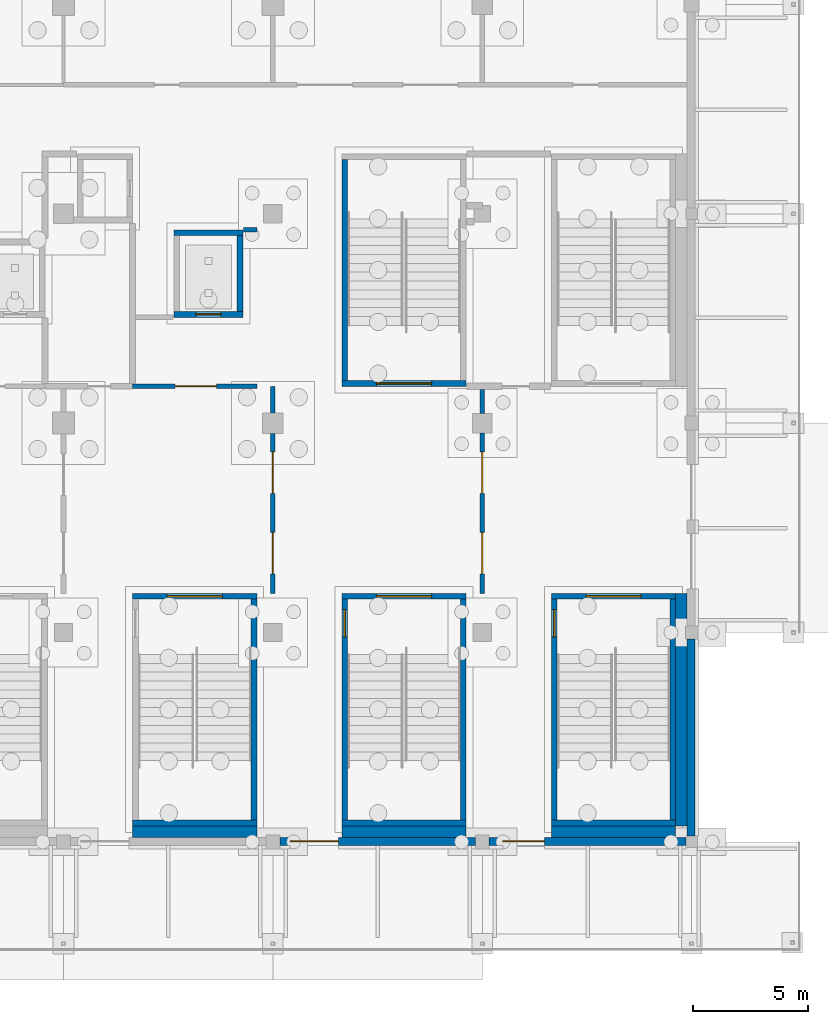
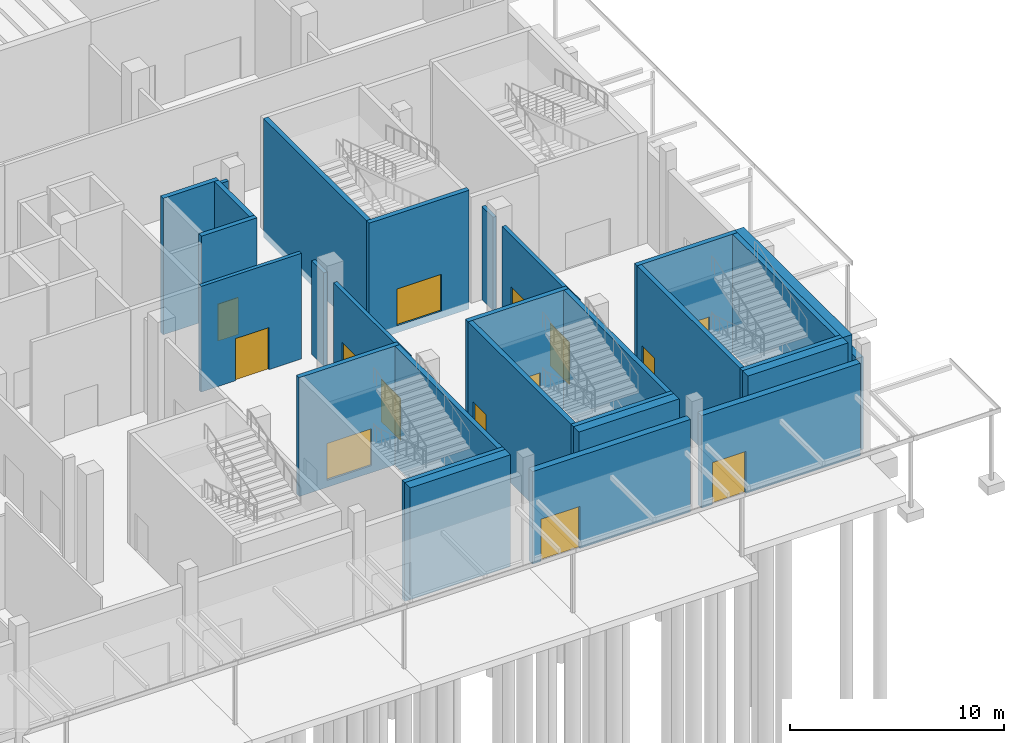
# One storey, part 83 of 129: 29 walls, 14 doors, 14 openings.
"""IFC4 building model written with IfcOpenShell, lengths in metres."""

import ifcopenshell
import ifcopenshell.guid

model = None  # the IFC model being written
_history = None  # IfcOwnerHistory: only IFC2X3 demands one
_inside = {}  # id of a spatial element -> (the spatial element, [elements in it])
_under = {}  # id of a project, library or spatial element -> (it, [spatial elements below it])
_declared = {}  # id of a project -> (the project, [libraries it declares])
_typed = {}  # id of a type object -> (the type object, [elements of that type])
_made_of = {}  # id of a material, layer set ... -> (it, [elements and type objects made of it])


def new_model(schema):
    """Start an empty IFC model of exactly this schema.

    Asked for "IFC4X3", IfcOpenShell would pick the latest addendum, in which some entities
    have other attributes; the version numbers below select the first issue.
    IFC2X3 requires an IfcOwnerHistory on every rooted entity: one is made here for all.
    """
    global model, _history
    if schema == "IFC4X3":
        model = ifcopenshell.file(schema_version=(4, 3, 0, 0))
    else:
        model = ifcopenshell.file(schema=schema)
    _inside.clear()
    _under.clear()
    _declared.clear()
    _typed.clear()
    _made_of.clear()
    _history = None
    if model.schema == "IFC2X3":
        org = make("IfcOrganization", Name="unknown")
        user = make(
            "IfcPersonAndOrganization",
            ThePerson=make("IfcPerson", FamilyName="unknown"),
            TheOrganization=org,
        )
        app = make(
            "IfcApplication",
            ApplicationDeveloper=org,
            Version="unknown",
            ApplicationFullName="unknown",
            ApplicationIdentifier="unknown",
        )
        _history = make(
            "IfcOwnerHistory",
            OwningUser=user,
            OwningApplication=app,
            ChangeAction="ADDED",
            CreationDate=0,
        )
    return model


def make(cls, **values):
    """One entity of the class cls with the attributes given. An attribute that is None is left unset."""
    return model.create_entity(
        cls, **{name: value for name, value in values.items() if value is not None}
    )


def rooted(cls, **values):
    """An entity with a GlobalId (a new one), such as an element, a storey or a relation."""
    return make(cls, GlobalId=ifcopenshell.guid.new(), OwnerHistory=_history, **values)


def si_unit(unit_type, name, prefix=None):
    """IfcSIUnit, for example si_unit("LENGTHUNIT", "METRE", prefix="MILLI")."""
    return make("IfcSIUnit", UnitType=unit_type, Prefix=prefix, Name=name)


def assignment(units):
    """IfcUnitAssignment: the units of a project."""
    return None if units is None else make("IfcUnitAssignment", Units=units)


def point(xyz):
    """IfcCartesianPoint."""
    return None if xyz is None else make("IfcCartesianPoint", Coordinates=xyz)


def direction(xyz):
    """IfcDirection."""
    return None if xyz is None else make("IfcDirection", DirectionRatios=xyz)


def frame(location, z_axis=None, x_axis=None):
    """IfcAxis2Placement3D, a coordinate frame: its origin and axes. An axis left out is left unset."""
    return make(
        "IfcAxis2Placement3D",
        Location=point(location),
        Axis=direction(z_axis),
        RefDirection=direction(x_axis),
    )


def frame_2d(location, x_axis=None):
    """IfcAxis2Placement2D, a coordinate frame in the plane: its origin and x axis."""
    return make(
        "IfcAxis2Placement2D", Location=point(location), RefDirection=direction(x_axis)
    )


def origin():
    """The frame at (0, 0, 0) with its axes left unset."""
    return frame((0.0, 0.0, 0.0))


def place(relative_to, where):
    """IfcLocalPlacement: puts the frame where relative to a parent placement (None: the world)."""
    return make(
        "IfcLocalPlacement", PlacementRelTo=relative_to, RelativePlacement=where
    )


def context(
    kind, dimensions, precision=None, world=None, true_north=None, identifier=None
):
    """IfcGeometricRepresentationContext, for example the 3D "Model" context."""
    return make(
        "IfcGeometricRepresentationContext",
        ContextIdentifier=identifier,
        ContextType=kind,
        CoordinateSpaceDimension=dimensions,
        Precision=precision,
        WorldCoordinateSystem=world,
        TrueNorth=true_north,
    )


def subcontext(parent, identifier, kind, view, scale=None):
    """IfcGeometricRepresentationSubContext, for example "Body" below "Model"."""
    return make(
        "IfcGeometricRepresentationSubContext",
        ContextIdentifier=identifier,
        ContextType=kind,
        ParentContext=parent,
        TargetScale=scale,
        TargetView=view,
    )


def project(units=None, contexts=None):
    """IfcProject with its units and contexts."""
    return rooted(
        "IfcProject",
        Name="project",
        RepresentationContexts=contexts,
        UnitsInContext=assignment(units),
    )


def spatial(cls, under=None, at=None, **own):
    """A site, building, storey or space (cls), placed at a placement, below another one or the project."""
    s = rooted(cls, ObjectPlacement=at, **own)
    if under is not None:
        _under.setdefault(under.id(), (under, []))[1].append(s)
    return s


def profile(cls, at=None, kind="AREA", **sizes):
    """A parametric profile (cls). Its sizes go by their IFC names, for example OverallWidth=200.0."""
    return make(cls, ProfileType=kind, Position=at, **sizes)


def rectangle(**sizes):
    """IfcRectangleProfileDef."""
    return profile("IfcRectangleProfileDef", **sizes)


def extrude(swept, where, along, depth):
    """IfcExtrudedAreaSolid: the profile swept, set in the frame where, extruded along a direction by depth."""
    return make(
        "IfcExtrudedAreaSolid",
        SweptArea=swept,
        Position=where,
        ExtrudedDirection=direction(along),
        Depth=depth,
    )


def shape(context_of_items, identifier, shape_type, items):
    """IfcShapeRepresentation: the items that make up one representation, for example the "Body"."""
    return make(
        "IfcShapeRepresentation",
        ContextOfItems=context_of_items,
        RepresentationIdentifier=identifier,
        RepresentationType=shape_type,
        Items=items,
    )


def material(Name=None, Category=None):
    """IfcMaterial."""
    return make("IfcMaterial", Name=Name, Category=Category)


def layer(
    of_material, thickness, ventilated=None, Name=None, Category=None, Priority=None
):
    """IfcMaterialLayer: one layer of a wall or slab, of a material (None: an air gap)."""
    return make(
        "IfcMaterialLayer",
        Material=of_material,
        LayerThickness=thickness,
        IsVentilated=ventilated,
        Name=Name,
        Category=Category,
        Priority=Priority,
    )


def layer_set(layers, Name=None):
    """IfcMaterialLayerSet."""
    return make("IfcMaterialLayerSet", MaterialLayers=layers, LayerSetName=Name)


def made_of(thing, what):
    """Note that an element or type object is made of a material, layer set ...; save() writes the relation."""
    if what is not None:
        _made_of.setdefault(what.id(), (what, []))[1].append(thing)
    return thing


def type_object(cls, material=None, **own):
    """A type object (cls), such as IfcWallType, which elements share."""
    return made_of(rooted(cls, **own), material)


def element(
    cls,
    number,
    at=None,
    inside=None,
    cuts=None,
    type_object=None,
    material=None,
    context=None,
    identifier="Body",
    shape_type=None,
    held_by="IfcProductDefinitionShape",
    body=None,
    shapes=None,
    **own,
):
    """One element of the class cls, such as IfcWall. Its Tag is "e" and its number.

    at: its placement. inside: the storey or other place that contains it. cuts: it is an
    opening in that element (IfcRelVoidsElement). A single representation is given by context,
    identifier, shape_type and body (its items); several are given by shapes. held_by: the class
    of the entity that holds the representations. save() writes the other relations.
    """
    e = rooted(cls, Tag="e%d" % number, ObjectPlacement=at, **own)
    if body is not None:
        shapes = [shape(context, identifier, shape_type, body)]
    if shapes is not None:
        e.Representation = make(held_by, Representations=shapes)
    if inside is not None:
        _inside.setdefault(inside.id(), (inside, []))[1].append(e)
    if cuts is not None:
        rooted(
            "IfcRelVoidsElement", RelatingBuildingElement=cuts, RelatedOpeningElement=e
        )
    if type_object is not None:
        _typed.setdefault(type_object.id(), (type_object, []))[1].append(e)
    return made_of(e, material)


def fill(opening, filler):
    """IfcRelFillsElement: the door or window that sits in an opening."""
    return rooted(
        "IfcRelFillsElement",
        RelatingOpeningElement=opening,
        RelatedBuildingElement=filler,
    )


def aggregate(whole, parts):
    """IfcRelAggregates: a whole, such as a stair, and the parts it consists of."""
    return rooted("IfcRelAggregates", RelatingObject=whole, RelatedObjects=parts)


def save(model, path):
    """Write the relations noted so far, then the file.

    IfcRelAggregates (storeys below a building ...), IfcRelContainedInSpatialStructure (elements
    in a storey), IfcRelDefinesByType, IfcRelAssociatesMaterial and IfcRelDeclares: one each for
    every whole, place, type object, material and project.
    """
    for whole, parts in _under.values():
        aggregate(whole, parts)
    for where, things in _inside.values():
        rooted(
            "IfcRelContainedInSpatialStructure",
            RelatedElements=things,
            RelatingStructure=where,
        )
    for kind, things in _typed.values():
        rooted("IfcRelDefinesByType", RelatedObjects=things, RelatingType=kind)
    for what, things in _made_of.values():
        rooted("IfcRelAssociatesMaterial", RelatedObjects=things, RelatingMaterial=what)
    for by, libraries in _declared.values():
        rooted("IfcRelDeclares", RelatingContext=by, RelatedDefinitions=libraries)
    model.write(path)


model = new_model("IFC4")

# Units and contexts
model_context = context("Model", 3, precision=1e-05, world=origin(), true_north=direction((0.0, 1.0)))
body_context = subcontext(model_context, "Body", "Model", "MODEL_VIEW")
ifc_project = project(units=[si_unit("LENGTHUNIT", "METRE"), si_unit("AREAUNIT", "SQUARE_METRE"), si_unit("VOLUMEUNIT", "CUBIC_METRE"), si_unit("PLANEANGLEUNIT", "RADIAN"), si_unit("MASSUNIT", "GRAM", prefix="KILO")], contexts=[model_context])

# Site, building, storey
site_placement = place(None, origin())
site = spatial("IfcSite", under=ifc_project, at=site_placement, CompositionType="ELEMENT")
building_placement = place(site_placement, origin())
building = spatial("IfcBuilding", under=site, at=building_placement, Name="Shirokan Park Arena", CompositionType="ELEMENT")
storey_placement = place(building_placement, origin())
storey = spatial("IfcBuildingStorey", under=building, at=storey_placement, Name="L00", CompositionType="ELEMENT", Elevation=0.0)

# Wall, opening, door
ifc_material_1 = material(Name="Gypsum board")
ifc_layer_1 = layer(ifc_material_1, 0.02490234375, Name="Gypsum board, two layers")
ifc_material_2 = material(Name="Mineral wool insulation")
ifc_layer_2 = layer(ifc_material_2, 0.14990234375, Name="Mineral wool insulation")
ifc_layer_3 = layer(ifc_material_1, 0.02490234375, Name="Gypsum board, two layers")
ifc_layer_set_1 = layer_set([ifc_layer_1, ifc_layer_2, ifc_layer_3], Name="Gypsum board, two layers + Mineral wool insulation")
wall_type_1 = type_object("IfcWallType", Name="Corridor wall 200", PredefinedType="PARTITIONING", material=ifc_layer_set_1)
wall_1_placement = place(storey_placement, frame((121.300048828125, 19.800048828125, 0.0), z_axis=(0.0, 0.0, 1.0), x_axis=(1.0, 0.0, 0.0)))
wall_1 = element("IfcWall", 1, at=wall_1_placement, inside=storey, type_object=wall_type_1, Name="Corridor wall 200 L00", PredefinedType="PARTITIONING", context=body_context, shape_type="SweptSolid", body=[
    extrude(rectangle(XDim=5.39990234375, YDim=0.199951171875, at=frame_2d((2.699951171875, 0.0))), origin(), (0.0, 0.0, 1.0), 6.02001953125),
])
opening_1_placement = place(wall_1_placement, frame((1.85009765625, 0.0, 0.0)))
opening_1 = element("IfcOpeningElement", 2, at=opening_1_placement, cuts=wall_1, Name="Opening D-0061", PredefinedType="OPENING", context=body_context, shape_type="SweptSolid", body=[
    extrude(rectangle(XDim=1.800048828125, YDim=2.39990234375, at=frame_2d((0.89990234375, 1.199951171875))), frame((0.0, 0.10986328125, 0.0), z_axis=(0.0, -1.0, 0.0), x_axis=(1.0, 0.0, 0.0)), (0.0, 0.0, 1.0), 0.219970703125),
])
ifc_material_3 = material(Name="Glazed steel door set, fire resisting", Category="steel")
door_type_1 = type_object("IfcDoorType", Name="Lift lobby door 1800 x 2400", OperationType="DOUBLE_DOOR_SINGLE_SWING", PredefinedType="DOOR", material=ifc_material_3)
door_1_placement = place(opening_1_placement, origin())
door_1 = element("IfcDoor", 3, at=door_1_placement, inside=storey, type_object=door_type_1, Name="Door between Equipment Lobby 2.0.3 and Service Lift Lobby 2.0 D-0061", OperationType="DOUBLE_DOOR_SINGLE_SWING", OverallHeight=2.39990234375, OverallWidth=1.800048828125, PredefinedType="DOOR", context=body_context, shape_type="SweptSolid", body=[
    extrude(rectangle(XDim=1.800048828125, YDim=2.39990234375, at=frame_2d((0.89990234375, 1.199951171875))), frame((0.0, 0.02490234375, 0.0), z_axis=(0.0, -1.0, 0.0), x_axis=(1.0, 0.0, 0.0)), (0.0, 0.0, 1.0), 0.050048828125),
])
fill(opening_1, door_1)

# Wall
wall_2_placement = place(storey_placement, frame((126.1298828125, 26.60009765625, 0.0), z_axis=(0.0, 0.0, 1.0), x_axis=(1.0, 0.0, 0.0)))
element("IfcWall", 4, at=wall_2_placement, inside=storey, type_object=wall_type_1, Name="Corridor wall 200 L00", PredefinedType="PARTITIONING", context=body_context, shape_type="SweptSolid", body=[
    extrude(rectangle(XDim=0.570068359375, YDim=0.199951171875, at=frame_2d((0.28515625, 0.0))), origin(), (0.0, 0.0, 1.0), 6.02001953125),
])

# Wall, openings, doors
wall_3_placement = place(storey_placement, frame((127.39990234375, 10.800048828125, 0.0), z_axis=(0.0, 0.0, 1.0), x_axis=(0.0, 1.0, 0.0)))
wall_3 = element("IfcWall", 5, at=wall_3_placement, inside=storey, type_object=wall_type_1, Name="Corridor wall 200 L00", PredefinedType="PARTITIONING", context=body_context, shape_type="SweptSolid", body=[
    extrude(rectangle(XDim=6.949951171875, YDim=0.199951171875, at=frame_2d((3.47509765625, 0.0))), origin(), (0.0, 0.0, 1.0), 5.320068359375),
])
opening_2_placement = place(wall_3_placement, frame((0.85009765625, 0.0, 0.0)))
opening_2 = element("IfcOpeningElement", 6, at=opening_2_placement, cuts=wall_3, Name="Opening D-0057", PredefinedType="OPENING", context=body_context, shape_type="SweptSolid", body=[
    extrude(rectangle(XDim=1.800048828125, YDim=2.39990234375, at=frame_2d((0.89990234375, 1.199951171875))), frame((0.0, 0.10986328125, 0.0), z_axis=(0.0, -1.0, 0.0), x_axis=(1.0, 0.0, 0.0)), (0.0, 0.0, 1.0), 0.219970703125),
])
opening_3_placement = place(wall_3_placement, frame((4.35009765625, 0.0, 0.0)))
opening_3 = element("IfcOpeningElement", 7, at=opening_3_placement, cuts=wall_3, Name="Opening D-0058", PredefinedType="OPENING", context=body_context, shape_type="SweptSolid", body=[
    extrude(rectangle(XDim=1.800048828125, YDim=2.39990234375, at=frame_2d((0.89990234375, 1.199951171875))), frame((0.0, 0.10986328125, 0.0), z_axis=(0.0, -1.0, 0.0), x_axis=(1.0, 0.0, 0.0)), (0.0, 0.0, 1.0), 0.219970703125),
])
door_2_placement = place(opening_2_placement, origin())
door_2 = element("IfcDoor", 8, at=door_2_placement, inside=storey, type_object=door_type_1, Name="Door between Staff Lobby 2.0.2 and Equipment Lobby 2.0.3 D-0057", OperationType="DOUBLE_DOOR_SINGLE_SWING", OverallHeight=2.39990234375, OverallWidth=1.800048828125, PredefinedType="DOOR", context=body_context, shape_type="SweptSolid", body=[
    extrude(rectangle(XDim=1.800048828125, YDim=2.39990234375, at=frame_2d((0.89990234375, 1.199951171875))), frame((0.0, 0.02490234375, 0.0), z_axis=(0.0, -1.0, 0.0), x_axis=(1.0, 0.0, 0.0)), (0.0, 0.0, 1.0), 0.050048828125),
])
fill(opening_2, door_2)
door_3_placement = place(opening_3_placement, origin())
door_3 = element("IfcDoor", 9, at=door_3_placement, inside=storey, type_object=door_type_1, Name="Door between Staff Lobby 2.0.2 and Equipment Lobby 2.0.3 D-0058", OperationType="DOUBLE_DOOR_SINGLE_SWING", OverallHeight=2.39990234375, OverallWidth=1.800048828125, PredefinedType="DOOR", context=body_context, shape_type="SweptSolid", body=[
    extrude(rectangle(XDim=1.800048828125, YDim=2.39990234375, at=frame_2d((0.89990234375, 1.199951171875))), frame((0.0, 0.02490234375, 0.0), z_axis=(0.0, -1.0, 0.0), x_axis=(1.0, 0.0, 0.0)), (0.0, 0.0, 1.0), 0.050048828125),
])
fill(opening_3, door_3)

# Wall
wall_4_placement = place(storey_placement, frame((127.39990234375, 18.64990234375, 0.0), z_axis=(0.0, 0.0, 1.0), x_axis=(0.0, 1.0, 0.0)))
element("IfcWall", 10, at=wall_4_placement, inside=storey, type_object=wall_type_1, Name="Corridor wall 200 L00", PredefinedType="PARTITIONING", context=body_context, shape_type="SweptSolid", body=[
    extrude(rectangle(XDim=1.150146484375, YDim=0.199951171875, at=frame_2d((0.5751953125, 0.0))), origin(), (0.0, 0.0, 1.0), 5.320068359375),
])

# Wall, openings, doors
wall_5_placement = place(storey_placement, frame((136.5, 10.800048828125, 0.0), z_axis=(0.0, 0.0, 1.0), x_axis=(0.0, 1.0, 0.0)))
wall_5 = element("IfcWall", 11, at=wall_5_placement, inside=storey, type_object=wall_type_1, Name="Corridor wall 200 L00", PredefinedType="PARTITIONING", context=body_context, shape_type="SweptSolid", body=[
    extrude(rectangle(XDim=6.974853515625, YDim=0.199951171875, at=frame_2d((3.4873046875, 0.0))), origin(), (0.0, 0.0, 1.0), 5.320068359375),
])
opening_4_placement = place(wall_5_placement, frame((0.85009765625, 0.0, 0.0)))
opening_4 = element("IfcOpeningElement", 12, at=opening_4_placement, cuts=wall_5, Name="Opening D-0055", PredefinedType="OPENING", context=body_context, shape_type="SweptSolid", body=[
    extrude(rectangle(XDim=1.800048828125, YDim=2.39990234375, at=frame_2d((0.89990234375, 1.199951171875))), frame((0.0, 0.10986328125, 0.0), z_axis=(0.0, -1.0, 0.0), x_axis=(1.0, 0.0, 0.0)), (0.0, 0.0, 1.0), 0.219970703125),
])
opening_5_placement = place(wall_5_placement, frame((4.35009765625, 0.0, 0.0)))
opening_5 = element("IfcOpeningElement", 13, at=opening_5_placement, cuts=wall_5, Name="Opening D-0056", PredefinedType="OPENING", context=body_context, shape_type="SweptSolid", body=[
    extrude(rectangle(XDim=1.800048828125, YDim=2.39990234375, at=frame_2d((0.89990234375, 1.199951171875))), frame((0.0, 0.10986328125, 0.0), z_axis=(0.0, -1.0, 0.0), x_axis=(1.0, 0.0, 0.0)), (0.0, 0.0, 1.0), 0.219970703125),
])
door_4_placement = place(opening_4_placement, origin())
door_4 = element("IfcDoor", 14, at=door_4_placement, inside=storey, type_object=door_type_1, Name="Door between VIP Reception 2.0.1 and Staff Lobby 2.0.2 D-0055", OperationType="DOUBLE_DOOR_SINGLE_SWING", OverallHeight=2.39990234375, OverallWidth=1.800048828125, PredefinedType="DOOR", context=body_context, shape_type="SweptSolid", body=[
    extrude(rectangle(XDim=1.800048828125, YDim=2.39990234375, at=frame_2d((0.89990234375, 1.199951171875))), frame((0.0, 0.02490234375, 0.0), z_axis=(0.0, -1.0, 0.0), x_axis=(1.0, 0.0, 0.0)), (0.0, 0.0, 1.0), 0.050048828125),
])
fill(opening_4, door_4)
door_5_placement = place(opening_5_placement, origin())
door_5 = element("IfcDoor", 15, at=door_5_placement, inside=storey, type_object=door_type_1, Name="Door between VIP Reception 2.0.1 and Staff Lobby 2.0.2 D-0056", OperationType="DOUBLE_DOOR_SINGLE_SWING", OverallHeight=2.39990234375, OverallWidth=1.800048828125, PredefinedType="DOOR", context=body_context, shape_type="SweptSolid", body=[
    extrude(rectangle(XDim=1.800048828125, YDim=2.39990234375, at=frame_2d((0.89990234375, 1.199951171875))), frame((0.0, 0.02490234375, 0.0), z_axis=(0.0, -1.0, 0.0), x_axis=(1.0, 0.0, 0.0)), (0.0, 0.0, 1.0), 0.050048828125),
])
fill(opening_5, door_5)

# Wall
wall_6_placement = place(storey_placement, frame((136.5, 18.625, 0.0), z_axis=(0.0, 0.0, 1.0), x_axis=(0.0, 1.0, 0.0)))
element("IfcWall", 16, at=wall_6_placement, inside=storey, type_object=wall_type_1, Name="Corridor wall 200 L00", PredefinedType="PARTITIONING", context=body_context, shape_type="SweptSolid", body=[
    extrude(rectangle(XDim=1.03759765625, YDim=0.199951171875, at=frame_2d((0.518798828125, 0.0))), origin(), (0.0, 0.0, 1.0), 5.320068359375),
])

# Wall, opening, door
ifc_material_4 = material(Name="Cedar cladding")
ifc_layer_4 = layer(ifc_material_4, 0.030029296875, Name="Cedar cladding")
ifc_layer_5 = layer(ifc_material_2, 0.10009765625, Name="Mineral wool insulation")
ifc_material_5 = material(Name="Concrete C35", Category="concrete")
ifc_layer_6 = layer(ifc_material_5, 0.199951171875, Name="Concrete C35")
ifc_material_6 = material(Name="Gypsum board lining")
ifc_layer_7 = layer(ifc_material_6, 0.02001953125, Name="Gypsum board lining")
ifc_layer_set_2 = layer_set([ifc_layer_4, ifc_layer_5, ifc_layer_6, ifc_layer_7], Name="Cedar cladding + Mineral wool insulation + Concrete C35 + Gypsum board lining")
wall_type_2 = type_object("IfcWallType", Name="Insulated tower wall 350", PredefinedType="SOLIDWALL", material=ifc_layer_set_2)
wall_7_placement = place(storey_placement, frame((127.699951171875, 0.02490234375, 0.0), z_axis=(0.0, 0.0, 1.0), x_axis=(1.0, 0.0, 0.0)))
wall_7 = element("IfcWall", 17, at=wall_7_placement, inside=storey, type_object=wall_type_2, Name="South facade wall bay 15 L00", PredefinedType="SOLIDWALL", context=body_context, shape_type="SweptSolid", body=[
    extrude(rectangle(XDim=8.5, YDim=0.35009765625, at=frame_2d((4.25, 0.0))), origin(), (0.0, 0.0, 1.0), 5.27001953125),
])
opening_6_placement = place(wall_7_placement, frame((0.449951171875, 0.0, 0.0)))
opening_6 = element("IfcOpeningElement", 18, at=opening_6_placement, cuts=wall_7, Name="Opening G7", PredefinedType="OPENING", context=body_context, shape_type="SweptSolid", body=[
    extrude(rectangle(XDim=2.10009765625, YDim=2.39990234375, at=frame_2d((1.050048828125, 1.199951171875))), frame((0.0, 0.18505859375, 0.0), z_axis=(0.0, -1.0, 0.0), x_axis=(1.0, 0.0, 0.0)), (0.0, 0.0, 1.0), 0.3701171875),
])
ifc_material_7 = material(Name="Steel and glass door", Category="steel")
door_type_2 = type_object("IfcDoorType", Name="Exit door pair 2100x2400", OperationType="DOUBLE_DOOR_SINGLE_SWING", PredefinedType="DOOR", material=ifc_material_7)
door_6_placement = place(opening_6_placement, frame((2.10009765625, 0.0, 0.0), z_axis=(0.0, 0.0, 1.0), x_axis=(-1.0, 0.0, 0.0)))
door_6 = element("IfcDoor", 19, at=door_6_placement, inside=storey, type_object=door_type_2, Name="Pedestrian exit gate G7", OperationType="DOUBLE_DOOR_SINGLE_SWING", OverallHeight=2.39990234375, OverallWidth=2.10009765625, PredefinedType="DOOR", context=body_context, shape_type="SweptSolid", body=[
    extrude(rectangle(XDim=2.10009765625, YDim=2.39990234375, at=frame_2d((1.050048828125, 1.199951171875))), frame((0.0, 0.02490234375, 0.0), z_axis=(0.0, -1.0, 0.0), x_axis=(1.0, 0.0, 0.0)), (0.0, 0.0, 1.0), 0.050048828125),
])
fill(opening_6, door_6)

wall_8_placement = place(storey_placement, frame((136.800048828125, 0.02490234375, 0.0), z_axis=(0.0, 0.0, 1.0), x_axis=(1.0, 0.0, 0.0)))
wall_8 = element("IfcWall", 20, at=wall_8_placement, inside=storey, type_object=wall_type_2, Name="South facade wall bay 16 L00", PredefinedType="SOLIDWALL", context=body_context, shape_type="SweptSolid", body=[
    extrude(rectangle(XDim=8.550048828125, YDim=0.35009765625, at=frame_2d((4.27490234375, 0.0))), origin(), (0.0, 0.0, 1.0), 5.27001953125),
])
opening_7_placement = place(wall_8_placement, frame((0.60009765625, 0.0, 0.0)))
opening_7 = element("IfcOpeningElement", 21, at=opening_7_placement, cuts=wall_8, Name="Opening V1", PredefinedType="OPENING", context=body_context, shape_type="SweptSolid", body=[
    extrude(rectangle(XDim=1.800048828125, YDim=2.39990234375, at=frame_2d((0.89990234375, 1.199951171875))), frame((0.0, 0.18505859375, 0.0), z_axis=(0.0, -1.0, 0.0), x_axis=(1.0, 0.0, 0.0)), (0.0, 0.0, 1.0), 0.3701171875),
])
ifc_material_8 = material(Name="Steel door", Category="steel")
door_type_3 = type_object("IfcDoorType", Name="Service door pair 1800x2400", OperationType="DOUBLE_DOOR_SINGLE_SWING", PredefinedType="DOOR", material=ifc_material_8)
door_7_placement = place(opening_7_placement, frame((1.800048828125, 0.0, 0.0), z_axis=(0.0, 0.0, 1.0), x_axis=(-1.0, 0.0, 0.0)))
door_7 = element("IfcDoor", 22, at=door_7_placement, inside=storey, type_object=door_type_3, Name="VIP entrance V1", OperationType="DOUBLE_DOOR_SINGLE_SWING", OverallHeight=2.39990234375, OverallWidth=1.800048828125, PredefinedType="DOOR", context=body_context, shape_type="SweptSolid", body=[
    extrude(rectangle(XDim=1.800048828125, YDim=2.39990234375, at=frame_2d((0.89990234375, 1.199951171875))), frame((0.0, 0.02490234375, 0.0), z_axis=(0.0, -1.0, 0.0), x_axis=(1.0, 0.0, 0.0)), (0.0, 0.0, 1.0), 0.050048828125),
])
fill(opening_7, door_7)

# Wall
wall_9_placement = place(storey_placement, frame((145.574951171875, 0.25, 0.0), z_axis=(0.0, 0.0, 1.0), x_axis=(0.0, 1.0, 0.0)))
element("IfcWall", 23, at=wall_9_placement, inside=storey, type_object=wall_type_2, Name="East facade wall bay 1 L00", PredefinedType="SOLIDWALL", context=body_context, shape_type="SweptSolid", body=[
    extrude(rectangle(XDim=8.574951171875, YDim=0.35009765625, at=frame_2d((4.28759765625, 0.0))), origin(), (0.0, 0.0, 1.0), 5.27001953125),
])

# Wall, opening, door
ifc_material_9 = material(Name="Concrete C40/50", Category="concrete")
ifc_layer_8 = layer(ifc_material_9, 0.25)
ifc_layer_set_3 = layer_set([ifc_layer_8], Name="Concrete C40/50 250 mm")
wall_type_3 = type_object("IfcWallType", Name="RC shear wall 250", PredefinedType="SHEAR", material=ifc_layer_set_3)
wall_10_placement = place(storey_placement, frame((126.10009765625, 22.925048828125, -1.39990234375), z_axis=(0.0, 0.0, 1.0), x_axis=(-1.0, 0.0, 0.0)))
wall_10 = element("IfcWall", 24, at=wall_10_placement, inside=storey, type_object=wall_type_3, Name="Shaft wall Service Lift 2 S L00", PredefinedType="SHEAR", context=body_context, shape_type="SweptSolid", body=[
    extrude(rectangle(XDim=3.0, YDim=0.25, at=frame_2d((1.5, 0.0))), origin(), (0.0, 0.0, 1.0), 7.77001953125),
])
opening_8_placement = place(wall_10_placement, frame((0.949951171875, 0.0, 1.39990234375)))
opening_8 = element("IfcOpeningElement", 25, at=opening_8_placement, cuts=wall_10, Name="Opening LD56", PredefinedType="OPENING", context=body_context, shape_type="SweptSolid", body=[
    extrude(rectangle(XDim=1.10009765625, YDim=2.10009765625, at=frame_2d((0.550048828125, 1.050048828125))), frame((0.0, 0.135009765625, 0.0), z_axis=(0.0, -1.0, 0.0), x_axis=(1.0, 0.0, 0.0)), (0.0, 0.0, 1.0), 0.27001953125),
])
ifc_material_10 = material(Name="Stainless steel", Category="steel")
door_type_4 = type_object("IfcDoorType", Name="Lift landing door 1100x2100", OperationType="DOUBLE_DOOR_SLIDING", PredefinedType="DOOR", material=ifc_material_10)
door_8_placement = place(opening_8_placement, origin())
door_8 = element("IfcDoor", 26, at=door_8_placement, inside=storey, type_object=door_type_4, Name="Lift landing door Service Lift 2 L00", OperationType="DOUBLE_DOOR_SLIDING", OverallHeight=2.10009765625, OverallWidth=1.10009765625, PredefinedType="DOOR", context=body_context, shape_type="SweptSolid", body=[
    extrude(rectangle(XDim=1.10009765625, YDim=2.10009765625, at=frame_2d((0.550048828125, 1.050048828125))), frame((0.0, 0.02490234375, 0.0), z_axis=(0.0, -1.0, 0.0), x_axis=(1.0, 0.0, 0.0)), (0.0, 0.0, 1.0), 0.050048828125),
])
fill(opening_8, door_8)

# Walls
wall_11_placement = place(storey_placement, frame((126.10009765625, 26.47509765625, -1.39990234375), z_axis=(0.0, 0.0, 1.0), x_axis=(-1.0, 0.0, 0.0)))
element("IfcWall", 27, at=wall_11_placement, inside=storey, type_object=wall_type_3, Name="Shaft wall Service Lift 2 N L00", PredefinedType="SHEAR", context=body_context, shape_type="SweptSolid", body=[
    extrude(rectangle(XDim=3.0, YDim=0.25, at=frame_2d((1.5, 0.0))), origin(), (0.0, 0.0, 1.0), 7.77001953125),
])
wall_12_placement = place(storey_placement, frame((125.97509765625, 26.35009765625, -1.39990234375), z_axis=(0.0, 0.0, 1.0), x_axis=(0.0, -1.0, 0.0)))
element("IfcWall", 28, at=wall_12_placement, inside=storey, type_object=wall_type_3, Name="Shaft wall Service Lift 2 E L00", PredefinedType="SHEAR", context=body_context, shape_type="SweptSolid", body=[
    extrude(rectangle(XDim=3.300048828125, YDim=0.25, at=frame_2d((1.64990234375, 0.0))), origin(), (0.0, 0.0, 1.0), 7.77001953125),
])
wall_13_placement = place(storey_placement, frame((144.89990234375, 0.824951171875, -0.39990234375), z_axis=(0.0, 0.0, 1.0), x_axis=(-1.0, 0.0, 0.0)))
element("IfcWall", 29, at=wall_13_placement, inside=storey, type_object=wall_type_3, Name="Shaft wall Exit Stair 2.A S L00", PredefinedType="SHEAR", context=body_context, shape_type="SweptSolid", body=[
    extrude(rectangle(XDim=5.39990234375, YDim=0.25, at=frame_2d((2.699951171875, 0.0))), origin(), (0.0, 0.0, 1.0), 6.77001953125),
])

# Wall, opening, door
wall_14_placement = place(storey_placement, frame((144.89990234375, 10.675048828125, -0.39990234375), z_axis=(0.0, 0.0, 1.0), x_axis=(-1.0, 0.0, 0.0)))
wall_14 = element("IfcWall", 30, at=wall_14_placement, inside=storey, type_object=wall_type_3, Name="Shaft wall Exit Stair 2.A N L00", PredefinedType="SHEAR", context=body_context, shape_type="SweptSolid", body=[
    extrude(rectangle(XDim=5.39990234375, YDim=0.25, at=frame_2d((2.699951171875, 0.0))), origin(), (0.0, 0.0, 1.0), 6.77001953125),
])
opening_9_placement = place(wall_14_placement, frame((1.5, 0.0, 0.39990234375)))
opening_9 = element("IfcOpeningElement", 31, at=opening_9_placement, cuts=wall_14, Name="Opening D-0176", PredefinedType="OPENING", context=body_context, shape_type="SweptSolid", body=[
    extrude(rectangle(XDim=2.39990234375, YDim=2.10009765625, at=frame_2d((1.199951171875, 1.050048828125))), frame((0.0, 0.135009765625, 0.0), z_axis=(0.0, -1.0, 0.0), x_axis=(1.0, 0.0, 0.0)), (0.0, 0.0, 1.0), 0.27001953125),
])
ifc_material_11 = material(Name="Steel door set, fire resisting", Category="steel")
door_type_5 = type_object("IfcDoorType", Name="Stair door 2400 x 2100", OperationType="DOUBLE_DOOR_SINGLE_SWING", PredefinedType="DOOR", material=ifc_material_11)
door_9_placement = place(opening_9_placement, origin())
door_9 = element("IfcDoor", 32, at=door_9_placement, inside=storey, type_object=door_type_5, Name="Stair door Exit Stair 2.A D-0176", OperationType="DOUBLE_DOOR_SINGLE_SWING", OverallHeight=2.10009765625, OverallWidth=2.39990234375, PredefinedType="DOOR", context=body_context, shape_type="SweptSolid", body=[
    extrude(rectangle(XDim=2.39990234375, YDim=2.10009765625, at=frame_2d((1.199951171875, 1.050048828125))), frame((0.0, 0.02490234375, 0.0), z_axis=(0.0, -1.0, 0.0), x_axis=(1.0, 0.0, 0.0)), (0.0, 0.0, 1.0), 0.050048828125),
])
fill(opening_9, door_9)

wall_15_placement = place(storey_placement, frame((139.625, 10.550048828125, -0.39990234375), z_axis=(0.0, 0.0, 1.0), x_axis=(0.0, -1.0, 0.0)))
wall_15 = element("IfcWall", 33, at=wall_15_placement, inside=storey, type_object=wall_type_3, Name="Shaft wall Exit Stair 2.A W L00", PredefinedType="SHEAR", context=body_context, shape_type="SweptSolid", body=[
    extrude(rectangle(XDim=9.60009765625, YDim=0.25, at=frame_2d((4.800048828125, 0.0))), origin(), (0.0, 0.0, 1.0), 6.77001953125),
])
opening_10_placement = place(wall_15_placement, frame((0.449951171875, 0.0, 0.39990234375)))
opening_10 = element("IfcOpeningElement", 34, at=opening_10_placement, cuts=wall_15, Name="Opening D-0201", PredefinedType="OPENING", context=body_context, shape_type="SweptSolid", body=[
    extrude(rectangle(XDim=1.199951171875, YDim=2.10009765625, at=frame_2d((0.60009765625, 1.050048828125))), frame((0.0, 0.135009765625, 0.0), z_axis=(0.0, -1.0, 0.0), x_axis=(1.0, 0.0, 0.0)), (0.0, 0.0, 1.0), 0.27001953125),
])
door_type_6 = type_object("IfcDoorType", Name="Stair exit door 1200 x 2100", OperationType="SINGLE_SWING_LEFT", PredefinedType="DOOR", material=ifc_material_11)
door_10_placement = place(opening_10_placement, origin())
door_10 = element("IfcDoor", 35, at=door_10_placement, inside=storey, type_object=door_type_6, Name="Stair exit door Exit Stair 2.A D-0201", OperationType="SINGLE_SWING_LEFT", OverallHeight=2.10009765625, OverallWidth=1.199951171875, PredefinedType="DOOR", context=body_context, shape_type="SweptSolid", body=[
    extrude(rectangle(XDim=1.199951171875, YDim=2.10009765625, at=frame_2d((0.60009765625, 1.050048828125))), frame((0.0, 0.02490234375, 0.0), z_axis=(0.0, -1.0, 0.0), x_axis=(1.0, 0.0, 0.0)), (0.0, 0.0, 1.0), 0.050048828125),
])
fill(opening_10, door_10)

# Walls
wall_16_placement = place(storey_placement, frame((144.77490234375, 10.550048828125, -0.39990234375), z_axis=(0.0, 0.0, 1.0), x_axis=(0.0, -1.0, 0.0)))
element("IfcWall", 36, at=wall_16_placement, inside=storey, type_object=wall_type_3, Name="Shaft wall Exit Stair 2.A E L00", PredefinedType="SHEAR", context=body_context, shape_type="SweptSolid", body=[
    extrude(rectangle(XDim=9.60009765625, YDim=0.25, at=frame_2d((4.800048828125, 0.0))), origin(), (0.0, 0.0, 1.0), 6.77001953125),
])
wall_17_placement = place(storey_placement, frame((135.800048828125, 0.824951171875, -0.39990234375), z_axis=(0.0, 0.0, 1.0), x_axis=(-1.0, 0.0, 0.0)))
element("IfcWall", 37, at=wall_17_placement, inside=storey, type_object=wall_type_3, Name="Shaft wall Exit Stair 2.B S L00", PredefinedType="SHEAR", context=body_context, shape_type="SweptSolid", body=[
    extrude(rectangle(XDim=5.400146484375, YDim=0.25, at=frame_2d((2.7001953125, 0.0))), origin(), (0.0, 0.0, 1.0), 6.77001953125),
])

# Wall, opening, door
wall_18_placement = place(storey_placement, frame((135.800048828125, 10.675048828125, -0.39990234375), z_axis=(0.0, 0.0, 1.0), x_axis=(-1.0, 0.0, 0.0)))
wall_18 = element("IfcWall", 38, at=wall_18_placement, inside=storey, type_object=wall_type_3, Name="Shaft wall Exit Stair 2.B N L00", PredefinedType="SHEAR", context=body_context, shape_type="SweptSolid", body=[
    extrude(rectangle(XDim=5.400146484375, YDim=0.25, at=frame_2d((2.7001953125, 0.0))), origin(), (0.0, 0.0, 1.0), 6.77001953125),
])
opening_11_placement = place(wall_18_placement, frame((1.5, 0.0, 0.39990234375)))
opening_11 = element("IfcOpeningElement", 39, at=opening_11_placement, cuts=wall_18, Name="Opening D-0177", PredefinedType="OPENING", context=body_context, shape_type="SweptSolid", body=[
    extrude(rectangle(XDim=2.39990234375, YDim=2.10009765625, at=frame_2d((1.199951171875, 1.050048828125))), frame((0.0, 0.135009765625, 0.0), z_axis=(0.0, -1.0, 0.0), x_axis=(1.0, 0.0, 0.0)), (0.0, 0.0, 1.0), 0.27001953125),
])
door_11_placement = place(opening_11_placement, origin())
door_11 = element("IfcDoor", 40, at=door_11_placement, inside=storey, type_object=door_type_5, Name="Stair door Exit Stair 2.B D-0177", OperationType="DOUBLE_DOOR_SINGLE_SWING", OverallHeight=2.10009765625, OverallWidth=2.39990234375, PredefinedType="DOOR", context=body_context, shape_type="SweptSolid", body=[
    extrude(rectangle(XDim=2.39990234375, YDim=2.10009765625, at=frame_2d((1.199951171875, 1.050048828125))), frame((0.0, 0.02490234375, 0.0), z_axis=(0.0, -1.0, 0.0), x_axis=(1.0, 0.0, 0.0)), (0.0, 0.0, 1.0), 0.050048828125),
])
fill(opening_11, door_11)

wall_19_placement = place(storey_placement, frame((130.52490234375, 10.550048828125, -0.39990234375), z_axis=(0.0, 0.0, 1.0), x_axis=(0.0, -1.0, 0.0)))
wall_19 = element("IfcWall", 41, at=wall_19_placement, inside=storey, type_object=wall_type_3, Name="Shaft wall Exit Stair 2.B W L00", PredefinedType="SHEAR", context=body_context, shape_type="SweptSolid", body=[
    extrude(rectangle(XDim=9.60009765625, YDim=0.25, at=frame_2d((4.800048828125, 0.0))), origin(), (0.0, 0.0, 1.0), 6.77001953125),
])
opening_12_placement = place(wall_19_placement, frame((0.449951171875, 0.0, 0.39990234375)))
opening_12 = element("IfcOpeningElement", 42, at=opening_12_placement, cuts=wall_19, Name="Opening D-0202", PredefinedType="OPENING", context=body_context, shape_type="SweptSolid", body=[
    extrude(rectangle(XDim=1.199951171875, YDim=2.10009765625, at=frame_2d((0.60009765625, 1.050048828125))), frame((0.0, 0.135009765625, 0.0), z_axis=(0.0, -1.0, 0.0), x_axis=(1.0, 0.0, 0.0)), (0.0, 0.0, 1.0), 0.27001953125),
])
door_12_placement = place(opening_12_placement, origin())
door_12 = element("IfcDoor", 43, at=door_12_placement, inside=storey, type_object=door_type_6, Name="Stair exit door Exit Stair 2.B D-0202", OperationType="SINGLE_SWING_LEFT", OverallHeight=2.10009765625, OverallWidth=1.199951171875, PredefinedType="DOOR", context=body_context, shape_type="SweptSolid", body=[
    extrude(rectangle(XDim=1.199951171875, YDim=2.10009765625, at=frame_2d((0.60009765625, 1.050048828125))), frame((0.0, 0.02490234375, 0.0), z_axis=(0.0, -1.0, 0.0), x_axis=(1.0, 0.0, 0.0)), (0.0, 0.0, 1.0), 0.050048828125),
])
fill(opening_12, door_12)

# Walls
wall_20_placement = place(storey_placement, frame((135.675048828125, 10.550048828125, -0.39990234375), z_axis=(0.0, 0.0, 1.0), x_axis=(0.0, -1.0, 0.0)))
element("IfcWall", 44, at=wall_20_placement, inside=storey, type_object=wall_type_3, Name="Shaft wall Exit Stair 2.B E L00", PredefinedType="SHEAR", context=body_context, shape_type="SweptSolid", body=[
    extrude(rectangle(XDim=9.60009765625, YDim=0.25, at=frame_2d((4.800048828125, 0.0))), origin(), (0.0, 0.0, 1.0), 6.77001953125),
])
wall_21_placement = place(storey_placement, frame((126.699951171875, 0.824951171875, -0.39990234375), z_axis=(0.0, 0.0, 1.0), x_axis=(-1.0, 0.0, 0.0)))
element("IfcWall", 45, at=wall_21_placement, inside=storey, type_object=wall_type_3, Name="Shaft wall Exit Stair 2.C S L00", PredefinedType="SHEAR", context=body_context, shape_type="SweptSolid", body=[
    extrude(rectangle(XDim=5.39990234375, YDim=0.25, at=frame_2d((2.699951171875, 0.0))), origin(), (0.0, 0.0, 1.0), 6.77001953125),
])

# Wall, opening, door
wall_22_placement = place(storey_placement, frame((126.699951171875, 10.675048828125, -0.39990234375), z_axis=(0.0, 0.0, 1.0), x_axis=(-1.0, 0.0, 0.0)))
wall_22 = element("IfcWall", 46, at=wall_22_placement, inside=storey, type_object=wall_type_3, Name="Shaft wall Exit Stair 2.C N L00", PredefinedType="SHEAR", context=body_context, shape_type="SweptSolid", body=[
    extrude(rectangle(XDim=5.39990234375, YDim=0.25, at=frame_2d((2.699951171875, 0.0))), origin(), (0.0, 0.0, 1.0), 6.77001953125),
])
opening_13_placement = place(wall_22_placement, frame((1.5, 0.0, 0.39990234375)))
opening_13 = element("IfcOpeningElement", 47, at=opening_13_placement, cuts=wall_22, Name="Opening D-0178", PredefinedType="OPENING", context=body_context, shape_type="SweptSolid", body=[
    extrude(rectangle(XDim=2.39990234375, YDim=2.10009765625, at=frame_2d((1.199951171875, 1.050048828125))), frame((0.0, 0.135009765625, 0.0), z_axis=(0.0, -1.0, 0.0), x_axis=(1.0, 0.0, 0.0)), (0.0, 0.0, 1.0), 0.27001953125),
])
door_13_placement = place(opening_13_placement, origin())
door_13 = element("IfcDoor", 48, at=door_13_placement, inside=storey, type_object=door_type_5, Name="Stair door Exit Stair 2.C D-0178", OperationType="DOUBLE_DOOR_SINGLE_SWING", OverallHeight=2.10009765625, OverallWidth=2.39990234375, PredefinedType="DOOR", context=body_context, shape_type="SweptSolid", body=[
    extrude(rectangle(XDim=2.39990234375, YDim=2.10009765625, at=frame_2d((1.199951171875, 1.050048828125))), frame((0.0, 0.02490234375, 0.0), z_axis=(0.0, -1.0, 0.0), x_axis=(1.0, 0.0, 0.0)), (0.0, 0.0, 1.0), 0.050048828125),
])
fill(opening_13, door_13)

# Wall
wall_23_placement = place(storey_placement, frame((126.574951171875, 10.550048828125, -0.39990234375), z_axis=(0.0, 0.0, 1.0), x_axis=(0.0, -1.0, 0.0)))
element("IfcWall", 49, at=wall_23_placement, inside=storey, type_object=wall_type_3, Name="Shaft wall Exit Stair 2.C E L00", PredefinedType="SHEAR", context=body_context, shape_type="SweptSolid", body=[
    extrude(rectangle(XDim=9.60009765625, YDim=0.25, at=frame_2d((4.800048828125, 0.0))), origin(), (0.0, 0.0, 1.0), 6.77001953125),
])

# Wall, opening, door
wall_24_placement = place(storey_placement, frame((135.800048828125, 19.925048828125, -0.39990234375), z_axis=(0.0, 0.0, 1.0), x_axis=(-1.0, 0.0, 0.0)))
wall_24 = element("IfcWall", 50, at=wall_24_placement, inside=storey, type_object=wall_type_3, Name="Shaft wall Exit Stair 2.F S L00", PredefinedType="SHEAR", context=body_context, shape_type="SweptSolid", body=[
    extrude(rectangle(XDim=5.400146484375, YDim=0.25, at=frame_2d((2.7001953125, 0.0))), origin(), (0.0, 0.0, 1.0), 6.77001953125),
])
opening_14_placement = place(wall_24_placement, frame((1.5, 0.0, 0.39990234375)))
opening_14 = element("IfcOpeningElement", 51, at=opening_14_placement, cuts=wall_24, Name="Opening D-0181", PredefinedType="OPENING", context=body_context, shape_type="SweptSolid", body=[
    extrude(rectangle(XDim=2.39990234375, YDim=2.10009765625, at=frame_2d((1.199951171875, 1.050048828125))), frame((0.0, 0.135009765625, 0.0), z_axis=(0.0, -1.0, 0.0), x_axis=(1.0, 0.0, 0.0)), (0.0, 0.0, 1.0), 0.27001953125),
])
door_14_placement = place(opening_14_placement, origin())
door_14 = element("IfcDoor", 52, at=door_14_placement, inside=storey, type_object=door_type_5, Name="Stair door Exit Stair 2.F D-0181", OperationType="DOUBLE_DOOR_SINGLE_SWING", OverallHeight=2.10009765625, OverallWidth=2.39990234375, PredefinedType="DOOR", context=body_context, shape_type="SweptSolid", body=[
    extrude(rectangle(XDim=2.39990234375, YDim=2.10009765625, at=frame_2d((1.199951171875, 1.050048828125))), frame((0.0, 0.02490234375, 0.0), z_axis=(0.0, -1.0, 0.0), x_axis=(1.0, 0.0, 0.0)), (0.0, 0.0, 1.0), 0.050048828125),
])
fill(opening_14, door_14)

# Walls
wall_25_placement = place(storey_placement, frame((130.52490234375, 29.64990234375, -0.39990234375), z_axis=(0.0, 0.0, 1.0), x_axis=(0.0, -1.0, 0.0)))
element("IfcWall", 53, at=wall_25_placement, inside=storey, type_object=wall_type_3, Name="Shaft wall Exit Stair 2.F W L00", PredefinedType="SHEAR", context=body_context, shape_type="SweptSolid", body=[
    extrude(rectangle(XDim=9.599853515625, YDim=0.25, at=frame_2d((4.7998046875, 0.0))), origin(), (0.0, 0.0, 1.0), 6.77001953125),
])
ifc_layer_9 = layer(ifc_material_5, 0.5)
ifc_layer_set_4 = layer_set([ifc_layer_9], Name="Concrete C35 500 mm")
wall_type_4 = type_object("IfcWallType", Name="Shaft infill wall 500", PredefinedType="SOLIDWALL", material=ifc_layer_set_4)
wall_26_placement = place(storey_placement, frame((139.5, 0.449951171875, 0.0), z_axis=(0.0, 0.0, 1.0), x_axis=(1.0, 0.0, 0.0)))
element("IfcWall", 54, at=wall_26_placement, inside=storey, type_object=wall_type_4, Name="Shaft infill wall L00", PredefinedType="SOLIDWALL", context=body_context, shape_type="SweptSolid", body=[
    extrude(rectangle(XDim=5.39990234375, YDim=0.5, at=frame_2d((2.699951171875, 0.0))), origin(), (0.0, 0.0, 1.0), 6.3701171875),
])
wall_27_placement = place(storey_placement, frame((145.14990234375, 0.699951171875, 0.0), z_axis=(0.0, 0.0, 1.0), x_axis=(0.0, 1.0, 0.0)))
element("IfcWall", 55, at=wall_27_placement, inside=storey, type_object=wall_type_4, Name="Shaft infill wall L00", PredefinedType="SOLIDWALL", context=body_context, shape_type="SweptSolid", body=[
    extrude(rectangle(XDim=10.10009765625, YDim=0.5, at=frame_2d((5.050048828125, 0.0))), origin(), (0.0, 0.0, 1.0), 6.3701171875),
])
wall_28_placement = place(storey_placement, frame((130.39990234375, 0.449951171875, 0.0), z_axis=(0.0, 0.0, 1.0), x_axis=(1.0, 0.0, 0.0)))
element("IfcWall", 56, at=wall_28_placement, inside=storey, type_object=wall_type_4, Name="Shaft infill wall L00", PredefinedType="SOLIDWALL", context=body_context, shape_type="SweptSolid", body=[
    extrude(rectangle(XDim=5.400146484375, YDim=0.5, at=frame_2d((2.7001953125, 0.0))), origin(), (0.0, 0.0, 1.0), 6.3701171875),
])
wall_29_placement = place(storey_placement, frame((121.300048828125, 0.449951171875, 0.0), z_axis=(0.0, 0.0, 1.0), x_axis=(1.0, 0.0, 0.0)))
element("IfcWall", 57, at=wall_29_placement, inside=storey, type_object=wall_type_4, Name="Shaft infill wall L00", PredefinedType="SOLIDWALL", context=body_context, shape_type="SweptSolid", body=[
    extrude(rectangle(XDim=5.39990234375, YDim=0.5, at=frame_2d((2.699951171875, 0.0))), origin(), (0.0, 0.0, 1.0), 6.3701171875),
])

save(model, "model.ifc")
